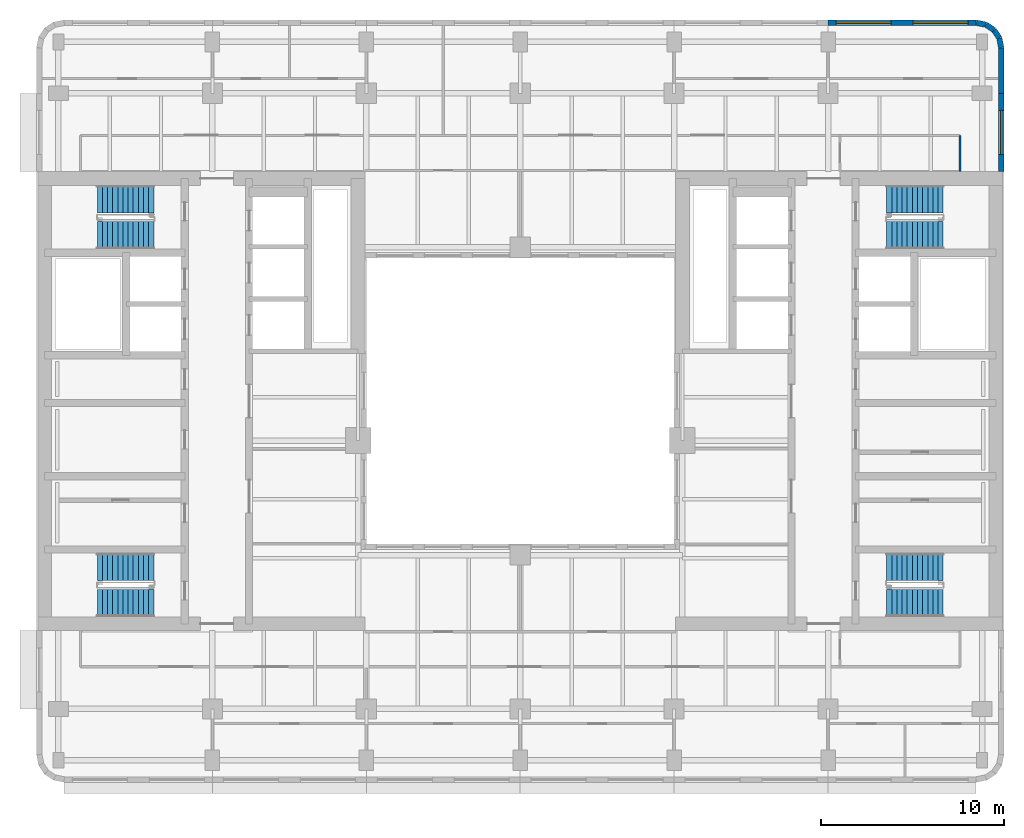
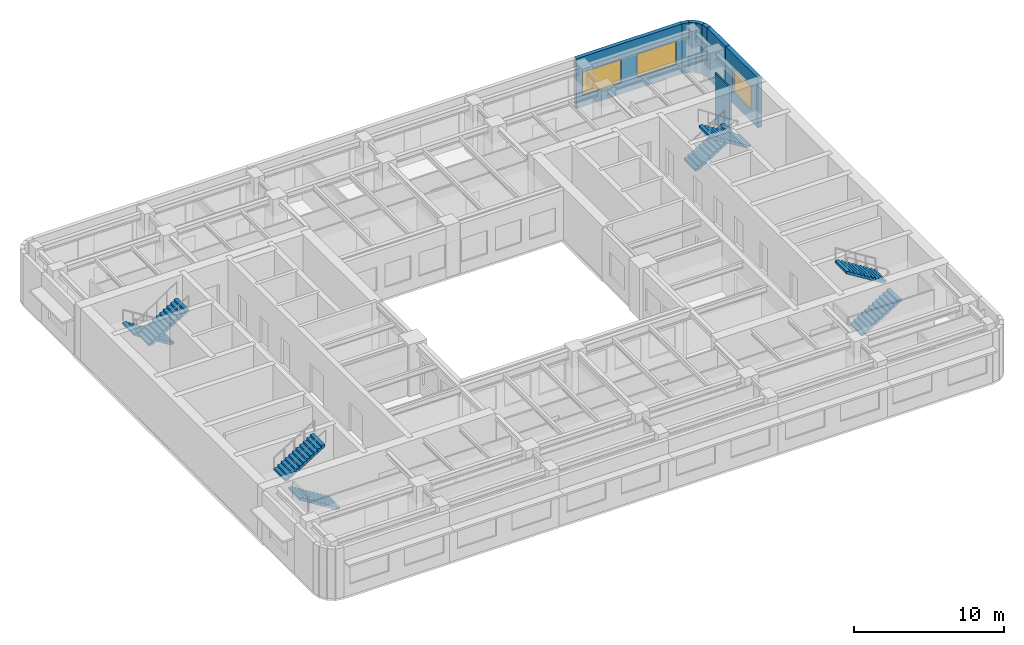
# One storey, part 8 of 11: 8 stair flights, 8 walls, 3 windows, 3 openings, 4 elements without a shape of their own.
"""IFC4 building model written with IfcOpenShell, lengths in metres."""

from ifc_helpers import new_model, si_unit, direction, frame, frame_2d, origin, place, context, subcontext, project, spatial, polyline, rectangle, outline, extrude, material, layer, layer_set, type_object, element, fill, aggregate, save


model = new_model("IFC4")

# Units and contexts
model_context = context("Model", 3, precision=1e-05, world=origin(), true_north=direction((0.0, 1.0)))
body_context = subcontext(model_context, "Body", "Model", "MODEL_VIEW")
ifc_project = project(units=[si_unit("LENGTHUNIT", "METRE"), si_unit("AREAUNIT", "SQUARE_METRE"), si_unit("VOLUMEUNIT", "CUBIC_METRE"), si_unit("PLANEANGLEUNIT", "RADIAN"), si_unit("MASSUNIT", "GRAM", prefix="KILO")], contexts=[model_context])

# Site, building, storey
site_placement = place(None, origin())
site = spatial("IfcSite", under=ifc_project, at=site_placement, CompositionType="ELEMENT")
building_placement = place(site_placement, origin())
building = spatial("IfcBuilding", under=site, at=building_placement, Name="Claustro Exchange Tower", CompositionType="ELEMENT")
storey_placement = place(building_placement, frame((0.0, 0.0, 211.199951171875)))
storey = spatial("IfcBuildingStorey", under=building, at=storey_placement, Name="L48", CompositionType="ELEMENT", Elevation=211.199951171875)

# Wall
ifc_material_1 = material(Name="Laminated glass in aluminium frame", Category="aluminium")
ifc_layer_1 = layer(ifc_material_1, 0.1201171875)
ifc_layer_set_1 = layer_set([ifc_layer_1], Name="Laminated glass in aluminium frame")
wall_type_1 = type_object("IfcWallType", Name="P2 120 glazed partition", PredefinedType="PARTITIONING", material=ifc_layer_set_1)
wall_1_placement = place(storey_placement, frame((49.199951171875, 37.72412109375, 0.0), z_axis=(0.0, 0.0, 1.0), x_axis=(0.0, 1.0, 0.0)))
element("IfcWall", 1, at=wall_1_placement, inside=storey, type_object=wall_type_1, Name="Partition P2 L48", PredefinedType="PARTITIONING", context=body_context, shape_type="SweptSolid", body=[
    extrude(rectangle(XDim=1.975830078125, YDim=0.1201171875, at=frame_2d((0.98779296875, 0.0))), origin(), (0.0, 0.0, 1.0), 4.050048828125),
])

# Wall, openings, windows
ifc_material_2 = material(Name="Concrete HA-40 (C40/50), precast, white cement, acid-etched", Category="concrete")
ifc_layer_2 = layer(ifc_material_2, 0.300048828125)
ifc_layer_set_2 = layer_set([ifc_layer_2], Name="Concrete HA-40 (C40/50), precast, white cement, acid-etched")
wall_type_2 = type_object("IfcWallType", Name="PC1 300 precast concrete pier panel", PredefinedType="SOLIDWALL", material=ifc_layer_set_2)
wall_2_placement = place(storey_placement, frame((42.0, 45.85009765625, 0.0), z_axis=(0.0, 0.0, 1.0), x_axis=(1.0, 0.0, 0.0)))
wall_2 = element("IfcWall", 2, at=wall_2_placement, inside=storey, type_object=wall_type_2, Name="Precast pier panel PC1 L48", PredefinedType="SOLIDWALL", context=body_context, shape_type="SweptSolid", body=[
    extrude(rectangle(XDim=8.085205078125, YDim=0.300048828125, at=frame_2d((4.04248046875, 0.0))), origin(), (0.0, 0.0, 1.0), 4.050048828125),
])
opening_1_placement = place(wall_2_placement, frame((0.442626953125, 0.0, 0.89990234375)))
opening_1 = element("IfcOpeningElement", 3, at=opening_1_placement, cuts=wall_2, Name="Opening W1", PredefinedType="OPENING", context=body_context, shape_type="SweptSolid", body=[
    extrude(rectangle(XDim=3.0, YDim=1.89990234375, at=frame_2d((1.5, 0.949951171875))), frame((0.0, 0.159912109375, 0.0), z_axis=(0.0, -1.0, 0.0), x_axis=(1.0, 0.0, 0.0)), (0.0, 0.0, 1.0), 0.320068359375),
])
opening_2_placement = place(wall_2_placement, frame((4.642578125, 0.0, 0.89990234375)))
opening_2 = element("IfcOpeningElement", 4, at=opening_2_placement, cuts=wall_2, Name="Opening W1", PredefinedType="OPENING", context=body_context, shape_type="SweptSolid", body=[
    extrude(rectangle(XDim=3.0, YDim=1.89990234375, at=frame_2d((1.5, 0.949951171875))), frame((0.0, 0.159912109375, 0.0), z_axis=(0.0, -1.0, 0.0), x_axis=(1.0, 0.0, 0.0)), (0.0, 0.0, 1.0), 0.320068359375),
])
ifc_material_3 = material(Name="Aluminium frame, clear double glazing", Category="aluminium")
window_type_1 = type_object("IfcWindowType", Name="W1 3000 x 1900 window", PartitioningType="SINGLE_PANEL", PredefinedType="WINDOW", material=ifc_material_3)
window_1_placement = place(opening_1_placement, origin())
window_1 = element("IfcWindow", 5, at=window_1_placement, inside=storey, type_object=window_type_1, Name="Window W1 L48", OverallHeight=1.89990234375, OverallWidth=3.0, PartitioningType="SINGLE_PANEL", PredefinedType="WINDOW", context=body_context, shape_type="SweptSolid", body=[
    extrude(rectangle(XDim=3.0, YDim=1.89990234375, at=frame_2d((1.5, 0.949951171875))), frame((0.0, 0.030029296875, 0.0), z_axis=(0.0, -1.0, 0.0), x_axis=(1.0, 0.0, 0.0)), (0.0, 0.0, 1.0), 0.06005859375),
])
fill(opening_1, window_1)
window_2_placement = place(opening_2_placement, origin())
window_2 = element("IfcWindow", 6, at=window_2_placement, inside=storey, type_object=window_type_1, Name="Window W1 L48", OverallHeight=1.89990234375, OverallWidth=3.0, PartitioningType="SINGLE_PANEL", PredefinedType="WINDOW", context=body_context, shape_type="SweptSolid", body=[
    extrude(rectangle(XDim=3.0, YDim=1.89990234375, at=frame_2d((1.5, 0.949951171875))), frame((0.0, 0.030029296875, 0.0), z_axis=(0.0, -1.0, 0.0), x_axis=(1.0, 0.0, 0.0)), (0.0, 0.0, 1.0), 0.06005859375),
])
fill(opening_2, window_2)

# Walls
wall_3_placement = place(storey_placement, frame((50.085205078125, 45.85009765625, 0.0), z_axis=(0.0, 0.0, 1.0), x_axis=(0.980702050465, -0.1955082817, 0.0)))
element("IfcWall", 7, at=wall_3_placement, inside=storey, type_object=wall_type_2, Name="Precast pier panel PC1 L48", PredefinedType="SOLIDWALL", context=body_context, shape_type="SweptSolid", body=[
    extrude(rectangle(XDim=0.540771484375, YDim=0.300048828125, at=frame_2d((0.2705078125, 0.0))), origin(), (0.0, 0.0, 1.0), 4.050048828125),
])
wall_4_placement = place(storey_placement, frame((50.615478515625, 45.744384765625, 0.0), z_axis=(0.0, 0.0, 1.0), x_axis=(0.831692711774, -0.555236195849, 0.0)))
element("IfcWall", 8, at=wall_4_placement, inside=storey, type_object=wall_type_2, Name="Precast pier panel PC1 L48", PredefinedType="SOLIDWALL", context=body_context, shape_type="SweptSolid", body=[
    extrude(rectangle(XDim=0.525390625, YDim=0.300048828125, at=frame_2d((0.2626953125, 0.0))), origin(), (0.0, 0.0, 1.0), 4.050048828125),
])
wall_5_placement = place(storey_placement, frame((51.052490234375, 45.45263671875, 0.0), z_axis=(0.0, 0.0, 1.0), x_axis=(0.55534295404, -0.831621430339, 0.0)))
element("IfcWall", 9, at=wall_5_placement, inside=storey, type_object=wall_type_2, Name="Precast pier panel PC1 L48", PredefinedType="SOLIDWALL", context=body_context, shape_type="SweptSolid", body=[
    extrude(rectangle(XDim=0.52587890625, YDim=0.300048828125, at=frame_2d((0.262939453125, 0.0))), origin(), (0.0, 0.0, 1.0), 4.050048828125),
])
wall_6_placement = place(storey_placement, frame((51.344482421875, 45.015380859375, 0.0), z_axis=(0.0, 0.0, 1.0), x_axis=(0.195073962632, -0.980788534345, 0.0)))
element("IfcWall", 10, at=wall_6_placement, inside=storey, type_object=wall_type_2, Name="Precast pier panel PC1 L48", PredefinedType="SOLIDWALL", context=body_context, shape_type="SweptSolid", body=[
    extrude(rectangle(XDim=0.540771484375, YDim=0.300048828125, at=frame_2d((0.2705078125, 0.0))), origin(), (0.0, 0.0, 1.0), 4.050048828125),
])
wall_7_placement = place(storey_placement, frame((51.449951171875, 44.485107421875, 0.0), z_axis=(0.0, 0.0, 1.0), x_axis=(0.0, -1.0, 0.0)))
element("IfcWall", 11, at=wall_7_placement, inside=storey, type_object=wall_type_2, Name="Precast pier panel PC1 L48", PredefinedType="SOLIDWALL", context=body_context, shape_type="SweptSolid", body=[
    extrude(rectangle(XDim=2.485107421875, YDim=0.300048828125, at=frame_2d((1.24267578125, 0.0))), origin(), (0.0, 0.0, 1.0), 4.050048828125),
])

# Wall, opening, window
wall_8_placement = place(storey_placement, frame((51.449951171875, 42.0, 0.0), z_axis=(0.0, 0.0, 1.0), x_axis=(0.0, -1.0, 0.0)))
wall_8 = element("IfcWall", 12, at=wall_8_placement, inside=storey, type_object=wall_type_2, Name="Precast pier panel PC1 L48", PredefinedType="SOLIDWALL", context=body_context, shape_type="SweptSolid", body=[
    extrude(rectangle(XDim=4.27490234375, YDim=0.300048828125, at=frame_2d((2.137451171875, 0.0))), origin(), (0.0, 0.0, 1.0), 4.050048828125),
])
opening_3_placement = place(wall_8_placement, frame((0.9375, 0.0, 0.89990234375)))
opening_3 = element("IfcOpeningElement", 13, at=opening_3_placement, cuts=wall_8, Name="Opening W2", PredefinedType="OPENING", context=body_context, shape_type="SweptSolid", body=[
    extrude(rectangle(XDim=2.39990234375, YDim=1.89990234375, at=frame_2d((1.199951171875, 0.949951171875))), frame((0.0, 0.159912109375, 0.0), z_axis=(0.0, -1.0, 0.0), x_axis=(1.0, 0.0, 0.0)), (0.0, 0.0, 1.0), 0.320068359375),
])
ifc_material_4 = material(Name="Aluminium frame, clear double glazing", Category="aluminium")
window_type_2 = type_object("IfcWindowType", Name="W2 2400 x 1900 window", PartitioningType="SINGLE_PANEL", PredefinedType="WINDOW", material=ifc_material_4)
window_3_placement = place(opening_3_placement, origin())
window_3 = element("IfcWindow", 14, at=window_3_placement, inside=storey, type_object=window_type_2, Name="Window W2 L48", OverallHeight=1.89990234375, OverallWidth=2.39990234375, PartitioningType="SINGLE_PANEL", PredefinedType="WINDOW", context=body_context, shape_type="SweptSolid", body=[
    extrude(rectangle(XDim=2.39990234375, YDim=1.89990234375, at=frame_2d((1.199951171875, 0.949951171875))), frame((0.0, 0.030029296875, 0.0), z_axis=(0.0, -1.0, 0.0), x_axis=(1.0, 0.0, 0.0)), (0.0, 0.0, 1.0), 0.06005859375),
])
fill(opening_3, window_3)

# Stair, stair flights
ifc_material_5 = material(Name="Concrete HA-30 (C30/37), precast", Category="concrete")
stair_type = type_object("IfcStairType", Name="ST1 half-turn stair, 24 risers of 175", PredefinedType="HALF_TURN_STAIR", material=ifc_material_5)
stair_1_placement = place(storey_placement, origin())
stair_1 = element("IfcStair", 15, at=stair_1_placement, inside=storey, type_object=stair_type, Name="Stair STWA L48", PredefinedType="HALF_TURN_STAIR")
ifc_material_6 = material(Name="Concrete HA-30 (C30/37), precast", Category="concrete")
stair_flight_type = type_object("IfcStairFlightType", Name="SF12A straight flight, 12 risers of 175, 1500 wide", PredefinedType="STRAIGHT", material=ifc_material_6)
stair_flight_1_placement = place(storey_placement, frame((5.199951171875, 14.175048828125, 0.0), z_axis=(0.0, 0.0, 1.0), x_axis=(-1.0, 0.0, 0.0)))
stair_flight_1 = element("IfcStairFlight", 16, at=stair_flight_1_placement, type_object=stair_flight_type, Name="STWA flight 1", NumberOfRisers=12, NumberOfTreads=11, PredefinedType="STRAIGHT", RiserHeight=0.175, TreadLength=0.28, context=body_context, shape_type="SweptSolid", body=[
    extrude(outline(polyline([(0.0, 0.0), (0.0, 0.175048828125), (0.280029296875, 0.175048828125), (0.280029296875, 0.35009765625), (0.56005859375, 0.35009765625), (0.56005859375, 0.52490234375), (0.840087890625, 0.52490234375), (0.840087890625, 0.699951171875), (1.1201171875, 0.699951171875), (1.1201171875, 0.875), (1.39990234375, 0.875), (1.39990234375, 1.050048828125), (1.679931640625, 1.050048828125), (1.679931640625, 1.22509765625), (1.9599609375, 1.22509765625), (1.9599609375, 1.39990234375), (2.239990234375, 1.39990234375), (2.239990234375, 1.574951171875), (2.52001953125, 1.574951171875), (2.52001953125, 1.75), (2.800048828125, 1.75), (2.800048828125, 1.925048828125), (3.080078125, 1.925048828125), (3.080078125, 2.10009765625), (3.080078125, 1.748291015625), (0.28271484375, 0.0), (0.0, 0.0)])), frame((0.0, 0.75, 0.0), z_axis=(0.0, -1.0, 0.0), x_axis=(1.0, 0.0, 0.0)), (0.0, 0.0, 1.0), 1.5),
])
stair_flight_2_placement = place(storey_placement, frame((2.1201171875, 16.14990234375, 2.10009765625), z_axis=(0.0, 0.0, 1.0), x_axis=(1.0, 0.0, 0.0)))
stair_flight_2 = element("IfcStairFlight", 17, at=stair_flight_2_placement, type_object=stair_flight_type, Name="STWA flight 2", NumberOfRisers=12, NumberOfTreads=11, PredefinedType="STRAIGHT", RiserHeight=0.175, TreadLength=0.28, context=body_context, shape_type="SweptSolid", body=[
    extrude(outline(polyline([(0.0, 0.0), (0.0, 0.175048828125), (0.280029296875, 0.175048828125), (0.280029296875, 0.35009765625), (0.56005859375, 0.35009765625), (0.56005859375, 0.52490234375), (0.840087890625, 0.52490234375), (0.840087890625, 0.699951171875), (1.1201171875, 0.699951171875), (1.1201171875, 0.875), (1.39990234375, 0.875), (1.39990234375, 1.050048828125), (1.679931640625, 1.050048828125), (1.679931640625, 1.22509765625), (1.9599609375, 1.22509765625), (1.9599609375, 1.39990234375), (2.239990234375, 1.39990234375), (2.239990234375, 1.574951171875), (2.52001953125, 1.574951171875), (2.52001953125, 1.75), (2.800048828125, 1.75), (2.800048828125, 1.925048828125), (3.080078125, 1.925048828125), (3.080078125, 2.10009765625), (3.080078125, 1.748291015625), (0.28271484375, 0.0), (0.0, 0.0)])), frame((0.0, 0.75, 0.0), z_axis=(0.0, -1.0, 0.0), x_axis=(1.0, 0.0, 0.0)), (0.0, 0.0, 1.0), 1.5),
])
aggregate(stair_1, [stair_flight_1, stair_flight_2])

stair_2_placement = place(storey_placement, origin())
stair_2 = element("IfcStair", 18, at=stair_2_placement, inside=storey, type_object=stair_type, Name="Stair STWB L48", PredefinedType="HALF_TURN_STAIR")
stair_flight_3_placement = place(storey_placement, frame((5.199951171875, 36.22509765625, 0.0), z_axis=(0.0, 0.0, 1.0), x_axis=(-1.0, 0.0, 0.0)))
stair_flight_3 = element("IfcStairFlight", 19, at=stair_flight_3_placement, type_object=stair_flight_type, Name="STWB flight 1", NumberOfRisers=12, NumberOfTreads=11, PredefinedType="STRAIGHT", RiserHeight=0.175, TreadLength=0.28, context=body_context, shape_type="SweptSolid", body=[
    extrude(outline(polyline([(0.0, 0.0), (0.0, 0.175048828125), (0.280029296875, 0.175048828125), (0.280029296875, 0.35009765625), (0.56005859375, 0.35009765625), (0.56005859375, 0.52490234375), (0.840087890625, 0.52490234375), (0.840087890625, 0.699951171875), (1.1201171875, 0.699951171875), (1.1201171875, 0.875), (1.39990234375, 0.875), (1.39990234375, 1.050048828125), (1.679931640625, 1.050048828125), (1.679931640625, 1.22509765625), (1.9599609375, 1.22509765625), (1.9599609375, 1.39990234375), (2.239990234375, 1.39990234375), (2.239990234375, 1.574951171875), (2.52001953125, 1.574951171875), (2.52001953125, 1.75), (2.800048828125, 1.75), (2.800048828125, 1.925048828125), (3.080078125, 1.925048828125), (3.080078125, 2.10009765625), (3.080078125, 1.748291015625), (0.28271484375, 0.0), (0.0, 0.0)])), frame((0.0, 0.75, 0.0), z_axis=(0.0, -1.0, 0.0), x_axis=(1.0, 0.0, 0.0)), (0.0, 0.0, 1.0), 1.5),
])
stair_flight_4_placement = place(storey_placement, frame((2.1201171875, 34.25, 2.10009765625), z_axis=(0.0, 0.0, 1.0), x_axis=(1.0, 0.0, 0.0)))
stair_flight_4 = element("IfcStairFlight", 20, at=stair_flight_4_placement, type_object=stair_flight_type, Name="STWB flight 2", NumberOfRisers=12, NumberOfTreads=11, PredefinedType="STRAIGHT", RiserHeight=0.175, TreadLength=0.28, context=body_context, shape_type="SweptSolid", body=[
    extrude(outline(polyline([(0.0, 0.0), (0.0, 0.175048828125), (0.280029296875, 0.175048828125), (0.280029296875, 0.35009765625), (0.56005859375, 0.35009765625), (0.56005859375, 0.52490234375), (0.840087890625, 0.52490234375), (0.840087890625, 0.699951171875), (1.1201171875, 0.699951171875), (1.1201171875, 0.875), (1.39990234375, 0.875), (1.39990234375, 1.050048828125), (1.679931640625, 1.050048828125), (1.679931640625, 1.22509765625), (1.9599609375, 1.22509765625), (1.9599609375, 1.39990234375), (2.239990234375, 1.39990234375), (2.239990234375, 1.574951171875), (2.52001953125, 1.574951171875), (2.52001953125, 1.75), (2.800048828125, 1.75), (2.800048828125, 1.925048828125), (3.080078125, 1.925048828125), (3.080078125, 2.10009765625), (3.080078125, 1.748291015625), (0.28271484375, 0.0), (0.0, 0.0)])), frame((0.0, 0.75, 0.0), z_axis=(0.0, -1.0, 0.0), x_axis=(1.0, 0.0, 0.0)), (0.0, 0.0, 1.0), 1.5),
])
aggregate(stair_2, [stair_flight_3, stair_flight_4])

stair_3_placement = place(storey_placement, origin())
stair_3 = element("IfcStair", 21, at=stair_3_placement, inside=storey, type_object=stair_type, Name="Stair STEA L48", PredefinedType="HALF_TURN_STAIR")
stair_flight_5_placement = place(storey_placement, frame((45.199951171875, 14.175048828125, 0.0), z_axis=(0.0, 0.0, 1.0), x_axis=(1.0, 0.0, 0.0)))
stair_flight_5 = element("IfcStairFlight", 22, at=stair_flight_5_placement, type_object=stair_flight_type, Name="STEA flight 1", NumberOfRisers=12, NumberOfTreads=11, PredefinedType="STRAIGHT", RiserHeight=0.175, TreadLength=0.28, context=body_context, shape_type="SweptSolid", body=[
    extrude(outline(polyline([(0.0, 0.0), (0.0, 0.175048828125), (0.280029296875, 0.175048828125), (0.280029296875, 0.35009765625), (0.56005859375, 0.35009765625), (0.56005859375, 0.52490234375), (0.840087890625, 0.52490234375), (0.840087890625, 0.699951171875), (1.1201171875, 0.699951171875), (1.1201171875, 0.875), (1.39990234375, 0.875), (1.39990234375, 1.050048828125), (1.679931640625, 1.050048828125), (1.679931640625, 1.22509765625), (1.9599609375, 1.22509765625), (1.9599609375, 1.39990234375), (2.239990234375, 1.39990234375), (2.239990234375, 1.574951171875), (2.52001953125, 1.574951171875), (2.52001953125, 1.75), (2.800048828125, 1.75), (2.800048828125, 1.925048828125), (3.080078125, 1.925048828125), (3.080078125, 2.10009765625), (3.080078125, 1.748291015625), (0.28271484375, 0.0), (0.0, 0.0)])), frame((0.0, 0.75, 0.0), z_axis=(0.0, -1.0, 0.0), x_axis=(1.0, 0.0, 0.0)), (0.0, 0.0, 1.0), 1.5),
])
stair_flight_6_placement = place(storey_placement, frame((48.280029296875, 16.14990234375, 2.10009765625), z_axis=(0.0, 0.0, 1.0), x_axis=(-1.0, 0.0, 0.0)))
stair_flight_6 = element("IfcStairFlight", 23, at=stair_flight_6_placement, type_object=stair_flight_type, Name="STEA flight 2", NumberOfRisers=12, NumberOfTreads=11, PredefinedType="STRAIGHT", RiserHeight=0.175, TreadLength=0.28, context=body_context, shape_type="SweptSolid", body=[
    extrude(outline(polyline([(0.0, 0.0), (0.0, 0.175048828125), (0.280029296875, 0.175048828125), (0.280029296875, 0.35009765625), (0.56005859375, 0.35009765625), (0.56005859375, 0.52490234375), (0.840087890625, 0.52490234375), (0.840087890625, 0.699951171875), (1.1201171875, 0.699951171875), (1.1201171875, 0.875), (1.39990234375, 0.875), (1.39990234375, 1.050048828125), (1.679931640625, 1.050048828125), (1.679931640625, 1.22509765625), (1.9599609375, 1.22509765625), (1.9599609375, 1.39990234375), (2.239990234375, 1.39990234375), (2.239990234375, 1.574951171875), (2.52001953125, 1.574951171875), (2.52001953125, 1.75), (2.800048828125, 1.75), (2.800048828125, 1.925048828125), (3.080078125, 1.925048828125), (3.080078125, 2.10009765625), (3.080078125, 1.748291015625), (0.28271484375, 0.0), (0.0, 0.0)])), frame((0.0, 0.75, 0.0), z_axis=(0.0, -1.0, 0.0), x_axis=(1.0, 0.0, 0.0)), (0.0, 0.0, 1.0), 1.5),
])
aggregate(stair_3, [stair_flight_5, stair_flight_6])

stair_4_placement = place(storey_placement, origin())
stair_4 = element("IfcStair", 24, at=stair_4_placement, inside=storey, type_object=stair_type, Name="Stair STEB L48", PredefinedType="HALF_TURN_STAIR")
stair_flight_7_placement = place(storey_placement, frame((45.199951171875, 36.22509765625, 0.0), z_axis=(0.0, 0.0, 1.0), x_axis=(1.0, 0.0, 0.0)))
stair_flight_7 = element("IfcStairFlight", 25, at=stair_flight_7_placement, type_object=stair_flight_type, Name="STEB flight 1", NumberOfRisers=12, NumberOfTreads=11, PredefinedType="STRAIGHT", RiserHeight=0.175, TreadLength=0.28, context=body_context, shape_type="SweptSolid", body=[
    extrude(outline(polyline([(0.0, 0.0), (0.0, 0.175048828125), (0.280029296875, 0.175048828125), (0.280029296875, 0.35009765625), (0.56005859375, 0.35009765625), (0.56005859375, 0.52490234375), (0.840087890625, 0.52490234375), (0.840087890625, 0.699951171875), (1.1201171875, 0.699951171875), (1.1201171875, 0.875), (1.39990234375, 0.875), (1.39990234375, 1.050048828125), (1.679931640625, 1.050048828125), (1.679931640625, 1.22509765625), (1.9599609375, 1.22509765625), (1.9599609375, 1.39990234375), (2.239990234375, 1.39990234375), (2.239990234375, 1.574951171875), (2.52001953125, 1.574951171875), (2.52001953125, 1.75), (2.800048828125, 1.75), (2.800048828125, 1.925048828125), (3.080078125, 1.925048828125), (3.080078125, 2.10009765625), (3.080078125, 1.748291015625), (0.28271484375, 0.0), (0.0, 0.0)])), frame((0.0, 0.75, 0.0), z_axis=(0.0, -1.0, 0.0), x_axis=(1.0, 0.0, 0.0)), (0.0, 0.0, 1.0), 1.5),
])
stair_flight_8_placement = place(storey_placement, frame((48.280029296875, 34.25, 2.10009765625), z_axis=(0.0, 0.0, 1.0), x_axis=(-1.0, 0.0, 0.0)))
stair_flight_8 = element("IfcStairFlight", 26, at=stair_flight_8_placement, type_object=stair_flight_type, Name="STEB flight 2", NumberOfRisers=12, NumberOfTreads=11, PredefinedType="STRAIGHT", RiserHeight=0.175, TreadLength=0.28, context=body_context, shape_type="SweptSolid", body=[
    extrude(outline(polyline([(0.0, 0.0), (0.0, 0.175048828125), (0.280029296875, 0.175048828125), (0.280029296875, 0.35009765625), (0.56005859375, 0.35009765625), (0.56005859375, 0.52490234375), (0.840087890625, 0.52490234375), (0.840087890625, 0.699951171875), (1.1201171875, 0.699951171875), (1.1201171875, 0.875), (1.39990234375, 0.875), (1.39990234375, 1.050048828125), (1.679931640625, 1.050048828125), (1.679931640625, 1.22509765625), (1.9599609375, 1.22509765625), (1.9599609375, 1.39990234375), (2.239990234375, 1.39990234375), (2.239990234375, 1.574951171875), (2.52001953125, 1.574951171875), (2.52001953125, 1.75), (2.800048828125, 1.75), (2.800048828125, 1.925048828125), (3.080078125, 1.925048828125), (3.080078125, 2.10009765625), (3.080078125, 1.748291015625), (0.28271484375, 0.0), (0.0, 0.0)])), frame((0.0, 0.75, 0.0), z_axis=(0.0, -1.0, 0.0), x_axis=(1.0, 0.0, 0.0)), (0.0, 0.0, 1.0), 1.5),
])
aggregate(stair_4, [stair_flight_7, stair_flight_8])

save(model, "model.ifc")
